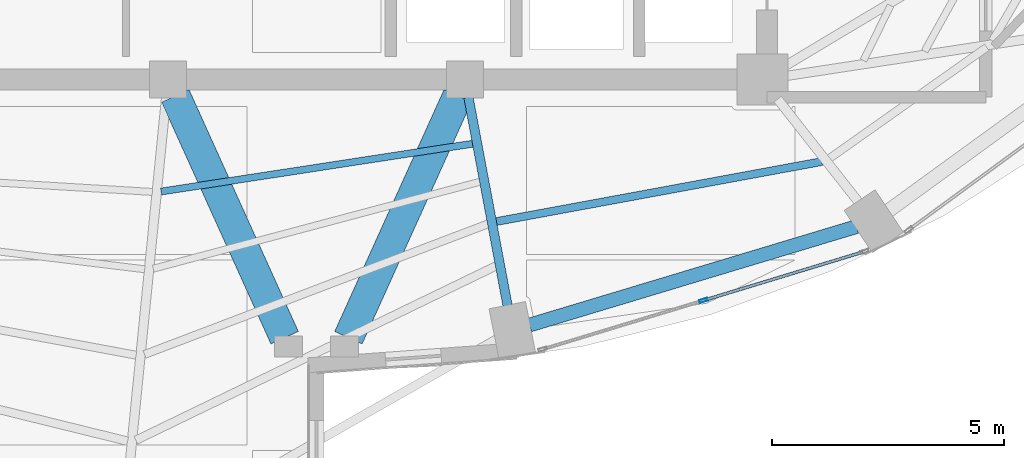
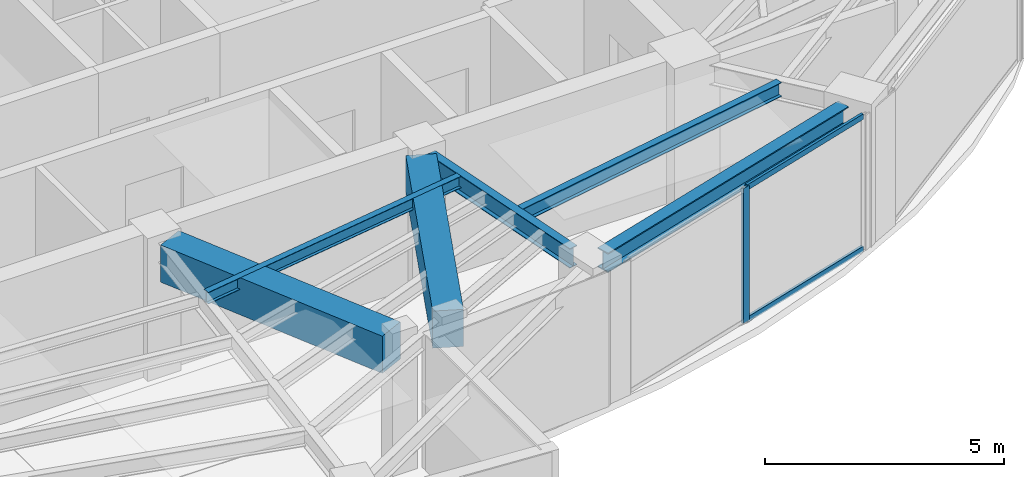
# One storey, part 7 of 23: 6 beams, 3 members, 1 element without a shape of its own.
"""IFC4 building model written with IfcOpenShell, lengths in metres."""

from ifc_helpers import new_model, si_unit, direction, frame, origin, origin_2d, place, context, subcontext, project, spatial, rectangle, hollow_rectangle, i_section, extrude, material, layer, layer_set, material_profile, profile_set, type_object, element, aggregate, save


model = new_model("IFC4")

# Units and contexts
model_context = context("Model", 3, precision=1e-05, world=origin(), true_north=direction((0.0, 1.0)))
body_context = subcontext(model_context, "Body", "Model", "MODEL_VIEW")
ifc_project = project(units=[si_unit("LENGTHUNIT", "METRE"), si_unit("AREAUNIT", "SQUARE_METRE"), si_unit("VOLUMEUNIT", "CUBIC_METRE"), si_unit("PLANEANGLEUNIT", "RADIAN"), si_unit("MASSUNIT", "GRAM", prefix="KILO")], contexts=[model_context])

# Site, building, storey
site_placement = place(None, origin())
site = spatial("IfcSite", under=ifc_project, at=site_placement, CompositionType="ELEMENT")
building_placement = place(site_placement, origin())
building = spatial("IfcBuilding", under=site, at=building_placement, Name="Lazwardi Medical Tower", CompositionType="ELEMENT")
storey_placement = place(building_placement, frame((0.0, 0.0, 234.9599609375)))
storey = spatial("IfcBuildingStorey", under=building, at=storey_placement, Name="L61", CompositionType="ELEMENT", Elevation=234.9599609375)

# Beams
ifc_material_1 = material(Name="Concrete C60/75", Category="concrete")
ifc_material_profile_1 = material_profile(ifc_material_1, rectangle(XDim=0.64990234375, YDim=0.949951171875, at=origin_2d()), Name="RC 650x950")
ifc_profile_set_1 = profile_set([ifc_material_profile_1], Name="Concrete C60/75")
beam_type_1 = type_object("IfcBeamType", Name="BM-CB-RC2", PredefinedType="LINTEL", material=ifc_profile_set_1)
for number, where, z_axis, x_axis, name in (
    (1, (32.95849609375, 20.04931640625, 2.97314453125), (0.412019279944, -0.911175127489, 0.0), (0.911175127489, 0.412019279944, 0.0), "Core coupling lintel CB-02 PL3 L61"),
    (2, (39.04150390625, 20.04931640625, 2.97314453125), (-0.412019279944, -0.911175127489, 0.0), (0.911175127489, -0.412019279944, 0.0), "Core coupling lintel CB-02 PL4 L61"),
):
    element("IfcBeam", number, at=place(storey_placement, frame(where, z_axis=z_axis, x_axis=x_axis)), inside=storey, type_object=beam_type_1, Name=name, PredefinedType="LINTEL", context=body_context, shape_type="SweptSolid", body=[
        extrude(rectangle(XDim=0.64990234375, YDim=0.949951171875, at=origin_2d()), origin(), (0.0, 0.0, 1.0), 5.7158203125),
    ])
ifc_material_2 = material(Name="Steel S355", Category="steel")
ifc_material_profile_2 = material_profile(ifc_material_2, i_section(OverallWidth=0.300048828125, OverallDepth=0.5, WebThickness=0.014404296875, FlangeThickness=0.028076171875, at=origin_2d()), Name="HEB 500")
ifc_profile_set_2 = profile_set([ifc_material_profile_2], Name="Steel S355")
beam_type_2 = type_object("IfcBeamType", Name="BM-RB-Z4", PredefinedType="BEAM", material=ifc_profile_set_2)
beam_1_placement = place(storey_placement, frame((40.58740234375, 15.114013671875, 3.197998046875), z_axis=(0.957544311906, 0.288286126506, 0.0), x_axis=(-0.288286126506, 0.957544311906, 0.0)))
element("IfcBeam", 3, at=beam_1_placement, inside=storey, type_object=beam_type_2, Name="Ring beam RB-05 B01 L61", PredefinedType="BEAM", context=body_context, shape_type="SweptSolid", body=[
    extrude(i_section(OverallWidth=0.300048828125, OverallDepth=0.5, WebThickness=0.014404296875, FlangeThickness=0.028076171875, at=origin_2d()), origin(), (0.0, 0.0, 1.0), 7.3515625),
])
ifc_material_profile_3 = material_profile(ifc_material_2, i_section(OverallWidth=0.199951171875, OverallDepth=0.5, WebThickness=0.01025390625, FlangeThickness=0.01611328125, at=origin_2d()), Name="IPE 500")
ifc_profile_set_3 = profile_set([ifc_material_profile_3], Name="Steel S355")
beam_type_3 = type_object("IfcBeamType", Name="BM-RG-W3", PredefinedType="BEAM", material=ifc_profile_set_3)
beam_2_placement = place(storey_placement, frame((40.115234375, 15.527587890625, 3.197998046875), z_axis=(-0.184633463507, 0.982807450192, 0.0), x_axis=(-0.982807450192, -0.184633463507, 0.0)))
element("IfcBeam", 4, at=beam_2_placement, inside=storey, type_object=beam_type_3, Name="Radial girder RG-04 R01 L61", PredefinedType="BEAM", context=body_context, shape_type="SweptSolid", body=[
    extrude(i_section(OverallWidth=0.199951171875, OverallDepth=0.5, WebThickness=0.01025390625, FlangeThickness=0.01611328125, at=origin_2d()), origin(), (0.0, 0.0, 1.0), 4.572509765625),
])
ifc_material_profile_4 = material_profile(ifc_material_2, i_section(OverallWidth=0.169921875, OverallDepth=0.360107421875, WebThickness=0.008056640625, FlangeThickness=0.0126953125, at=origin_2d()), Name="IPE 360")
ifc_profile_set_4 = profile_set([ifc_material_profile_4], Name="Steel S355")
beam_type_4 = type_object("IfcBeamType", Name="BM-SJ-02", PredefinedType="JOIST", material=ifc_profile_set_4)
beam_3_placement = place(storey_placement, frame((39.87109375, 17.34228515625, 3.26806640625), z_axis=(0.983427965623, 0.181299300688, 0.0), x_axis=(-0.181299300688, 0.983427965623, 0.0)))
element("IfcBeam", 5, at=beam_3_placement, inside=storey, type_object=beam_type_4, Name="Secondary joist SJ-02 R2 B01 L61", PredefinedType="JOIST", context=body_context, shape_type="SweptSolid", body=[
    extrude(i_section(OverallWidth=0.169921875, OverallDepth=0.360107421875, WebThickness=0.008056640625, FlangeThickness=0.0126953125, at=origin_2d()), origin(), (0.0, 0.0, 1.0), 7.127685546875),
])
ifc_material_profile_5 = material_profile(ifc_material_2, i_section(OverallWidth=0.14990234375, OverallDepth=0.300048828125, WebThickness=0.007080078125, FlangeThickness=0.0107421875, at=origin_2d()), Name="IPE 300")
ifc_profile_set_5 = profile_set([ifc_material_profile_5], Name="Steel S355")
beam_type_5 = type_object("IfcBeamType", Name="BM-SJ-03", PredefinedType="JOIST", material=ifc_profile_set_5)
beam_4_placement = place(storey_placement, frame((32.652587890625, 17.989013671875, 3.298095703125), z_axis=(0.988433562862, 0.151654514629, 0.0), x_axis=(-0.151654514629, 0.988433562862, 0.0)))
element("IfcBeam", 6, at=beam_4_placement, inside=storey, type_object=beam_type_5, Name="Secondary joist SJ-03 R4 B16 L61", PredefinedType="JOIST", context=body_context, shape_type="SweptSolid", body=[
    extrude(i_section(OverallWidth=0.14990234375, OverallDepth=0.300048828125, WebThickness=0.007080078125, FlangeThickness=0.0107421875, at=origin_2d()), origin(), (0.0, 0.0, 1.0), 6.788818359375),
])

# Curtain wall, members
ifc_material_3 = material(Name="Anodised bronze aluminium and solar control glazing", Category="aluminium")
ifc_layer = layer(ifc_material_3, 0.18994140625)
ifc_layer_set = layer_set([ifc_layer], Name="Anodised bronze aluminium and solar control glazing")
curtain_wall_type = type_object("IfcCurtainWallType", Name="CW-SYS-04", PredefinedType="NOTDEFINED", material=ifc_layer_set)
curtain_wall_placement = place(storey_placement, origin())
curtain_wall = element("IfcCurtainWall", 7, at=curtain_wall_placement, inside=storey, type_object=curtain_wall_type, Name="L61 Unitised bronze curtain wall CW-04", PredefinedType="NOTDEFINED")
ifc_material_4 = material(Name="Anodised bronze aluminium", Category="aluminium")
ifc_material_profile_6 = material_profile(ifc_material_4, hollow_rectangle(XDim=0.06494140625, YDim=0.179931640625, WallThickness=0.00390625, at=origin_2d()), Name="ALU-MULLION 180x65x4")
ifc_profile_set_6 = profile_set([ifc_material_profile_6], Name="Anodised bronze aluminium")
member_type_1 = type_object("IfcMemberType", Name="CW-MUL-03", PredefinedType="MULLION", material=ifc_profile_set_6)
member_1_placement = place(storey_placement, frame((44.33642578125, 15.644775390625, 0.0), z_axis=(0.0, 0.0, 1.0), x_axis=(-0.290581889515, 0.956850126972, 0.0)))
member_1 = element("IfcMember", 8, at=member_1_placement, type_object=member_type_1, Name="CW-04 mullion 2", PredefinedType="MULLION", context=body_context, shape_type="SweptSolid", body=[
    extrude(hollow_rectangle(XDim=0.06494140625, YDim=0.179931640625, WallThickness=0.00390625, at=origin_2d()), origin(), (0.0, 0.0, 1.0), 3.447998046875),
])
ifc_material_profile_7 = material_profile(ifc_material_4, hollow_rectangle(XDim=0.06494140625, YDim=0.139892578125, WallThickness=0.00341796875, at=origin_2d()), Name="ALU-TRANSOM 140x65x3.5")
ifc_profile_set_7 = profile_set([ifc_material_profile_7], Name="Anodised bronze aluminium")
member_type_2 = type_object("IfcMemberType", Name="CW-TRN-03", PredefinedType="USERDEFINED", material=ifc_profile_set_7)
member_2_placement = place(storey_placement, frame((44.367431640625, 15.654052734375, 0.032470703125), z_axis=(0.956843409009, 0.290604010015, 0.0), x_axis=(-0.290604010015, 0.956843409009, 0.0)))
member_2 = element("IfcMember", 9, at=member_2_placement, type_object=member_type_2, Name="CW-04 transom 2.1", ObjectType="TRANSOM", PredefinedType="USERDEFINED", context=body_context, shape_type="SweptSolid", body=[
    extrude(hollow_rectangle(XDim=0.06494140625, YDim=0.139892578125, WallThickness=0.00341796875, at=origin_2d()), origin(), (0.0, 0.0, 1.0), 3.554443359375),
])
member_3_placement = place(storey_placement, frame((44.367431640625, 15.654052734375, 3.41552734375), z_axis=(0.956843409009, 0.290604010015, 0.0), x_axis=(-0.290604010015, 0.956843409009, 0.0)))
member_3 = element("IfcMember", 10, at=member_3_placement, type_object=member_type_2, Name="CW-04 transom 2.2", ObjectType="TRANSOM", PredefinedType="USERDEFINED", context=body_context, shape_type="SweptSolid", body=[
    extrude(hollow_rectangle(XDim=0.06494140625, YDim=0.139892578125, WallThickness=0.00341796875, at=origin_2d()), origin(), (0.0, 0.0, 1.0), 3.554443359375),
])
aggregate(curtain_wall, [member_1, member_2, member_3])

save(model, "model.ifc")
